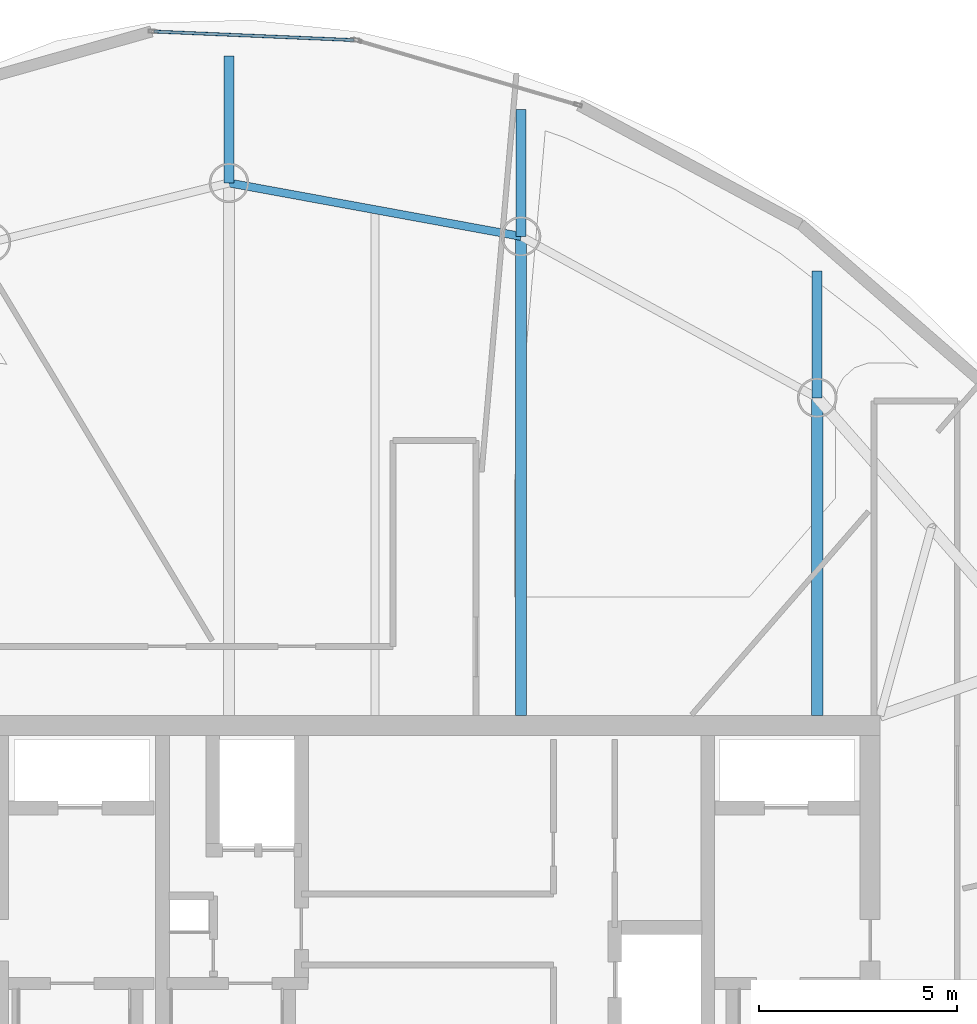
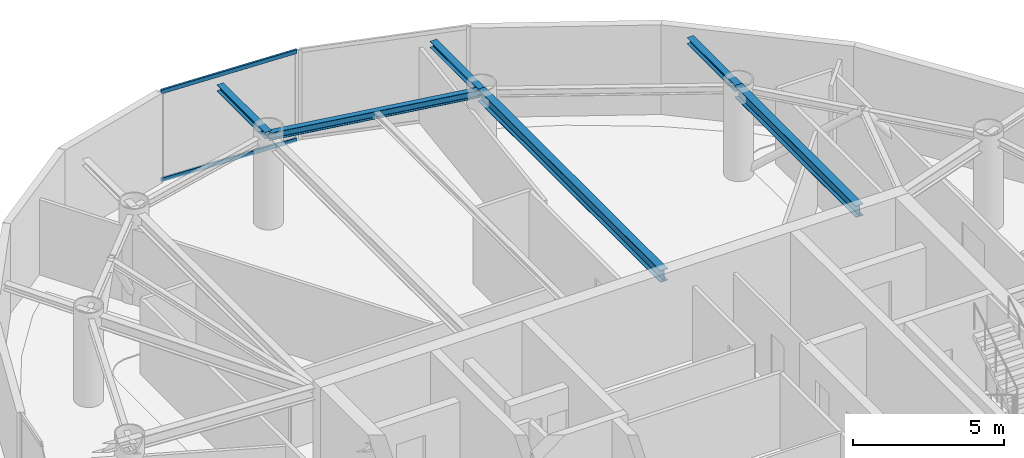
# One storey, part 10 of 18: 6 beams, 2 members, 1 element without a shape of its own.
"""IFC4 building model written with IfcOpenShell, lengths in metres."""

from ifc_helpers import new_model, si_unit, direction, frame, origin, origin_2d, place, context, subcontext, project, spatial, hollow_rectangle, i_section, extrude, material, layer, layer_set, material_profile, profile_set, type_object, element, aggregate, save


model = new_model("IFC4")

# Units and contexts
model_context = context("Model", 3, precision=1e-05, world=origin(), true_north=direction((0.0, 1.0)))
body_context = subcontext(model_context, "Body", "Model", "MODEL_VIEW")
ifc_project = project(units=[si_unit("LENGTHUNIT", "METRE"), si_unit("AREAUNIT", "SQUARE_METRE"), si_unit("VOLUMEUNIT", "CUBIC_METRE"), si_unit("PLANEANGLEUNIT", "RADIAN"), si_unit("MASSUNIT", "GRAM", prefix="KILO")], contexts=[model_context])

# Site, building, storey
site_placement = place(None, origin())
site = spatial("IfcSite", under=ifc_project, at=site_placement, CompositionType="ELEMENT")
building_placement = place(site_placement, origin())
building = spatial("IfcBuilding", under=site, at=building_placement, Name="Bramvorn Convention Spire", CompositionType="ELEMENT")
storey_placement = place(building_placement, frame((0.0, 0.0, 288.25)))
storey = spatial("IfcBuildingStorey", under=building, at=storey_placement, Name="L73", CompositionType="ELEMENT", Elevation=288.25)

# Beams
ifc_material_1 = material(Name="Steel CSA G40.21 Grade 350 (350W)", Category="steel")
ifc_material_profile_1 = material_profile(ifc_material_1, i_section(OverallWidth=0.25390625, OverallDepth=0.2529296875, WebThickness=0.008544921875, FlangeThickness=0.01416015625, FilletRadius=0.011962890625, at=origin_2d()))
ifc_profile_set_1 = profile_set([ifc_material_profile_1], Name="Steel CSA G40.21 Grade 350 (350W) - W250X73")
beam_type_1 = type_object("IfcBeamType", Name="BM-W250X73", PredefinedType="BEAM", material=ifc_profile_set_1)
for number, where, z_axis, x_axis, name in (
    (1, (47.662353515625, 41.476806640625, 3.49853515625), (0.0, 1.0, 0.0), (-1.0, 0.0, 0.0), "L73 slab-edge cantilever tip beam MC06"),
    (2, (40.1845703125, 45.55078125, 3.49853515625), (0.0, 1.0, 0.0), (-1.0, 0.0, 0.0), "L73 slab-edge cantilever tip beam MC07"),
    (3, (32.8115234375, 46.90087890625, 3.49853515625), (0.0, 1.0, 0.0), (-1.0, 0.0, 0.0), "L73 slab-edge cantilever tip beam MC08"),
):
    element("IfcBeam", number, at=place(storey_placement, frame(where, z_axis=z_axis, x_axis=x_axis)), inside=storey, type_object=beam_type_1, Name=name, PredefinedType="BEAM", context=body_context, shape_type="SweptSolid", body=[
        extrude(i_section(OverallWidth=0.25390625, OverallDepth=0.2529296875, WebThickness=0.008544921875, FlangeThickness=0.01416015625, FilletRadius=0.011962890625, at=origin_2d()), origin(), (0.0, 0.0, 1.0), 3.199951171875),
    ])
ifc_material_profile_2 = material_profile(ifc_material_1, i_section(OverallWidth=0.202880859375, OverallDepth=0.302978515625, WebThickness=0.007568359375, FlangeThickness=0.01318359375, FilletRadius=0.013916015625, at=origin_2d()))
ifc_profile_set_2 = profile_set([ifc_material_profile_2], Name="Steel CSA G40.21 Grade 350 (350W) - W310X60")
beam_type_2 = type_object("IfcBeamType", Name="BM-W310X60", PredefinedType="JOIST", material=ifc_profile_set_2)
beam_1_placement = place(storey_placement, frame((40.1845703125, 45.55078125, 3.473388671875), z_axis=(-0.983645049461, 0.180117785547, 0.0), x_axis=(-0.180117785547, -0.983645049461, 0.0)))
element("IfcBeam", 4, at=beam_1_placement, inside=storey, type_object=beam_type_2, Name="L73 mega-column ring beam 07", PredefinedType="JOIST", context=body_context, shape_type="SweptSolid", body=[
    extrude(i_section(OverallWidth=0.202880859375, OverallDepth=0.302978515625, WebThickness=0.007568359375, FlangeThickness=0.01318359375, FilletRadius=0.013916015625, at=origin_2d()), origin(), (0.0, 0.0, 1.0), 7.49560546875),
])
ifc_material_profile_3 = material_profile(ifc_material_1, i_section(OverallWidth=0.283935546875, OverallDepth=0.47607421875, WebThickness=0.014892578125, FlangeThickness=0.02392578125, FilletRadius=0.01806640625, at=origin_2d()))
ifc_profile_set_3 = profile_set([ifc_material_profile_3], Name="Steel CSA G40.21 Grade 350 (350W) - W460X158")
beam_type_3 = type_object("IfcBeamType", Name="BM-W460X158", PredefinedType="SPANDREL", material=ifc_profile_set_3)
beam_2_placement = place(storey_placement, frame((47.662353515625, 33.449951171875, 3.386962890625), z_axis=(0.0, 1.0, 0.0), x_axis=(-1.0, 0.0, 0.0)))
element("IfcBeam", 5, at=beam_2_placement, inside=storey, type_object=beam_type_3, Name="L73 radial floor girder MC06", PredefinedType="SPANDREL", context=body_context, shape_type="SweptSolid", body=[
    extrude(i_section(OverallWidth=0.283935546875, OverallDepth=0.47607421875, WebThickness=0.014892578125, FlangeThickness=0.02392578125, FilletRadius=0.01806640625, at=origin_2d()), origin(), (0.0, 0.0, 1.0), 8.02685546875),
])
beam_3_placement = place(storey_placement, frame((40.1845703125, 33.449951171875, 3.386962890625), z_axis=(0.0, 1.0, 0.0), x_axis=(-1.0, 0.0, 0.0)))
element("IfcBeam", 6, at=beam_3_placement, inside=storey, type_object=beam_type_3, Name="L73 radial floor girder MC07", PredefinedType="SPANDREL", context=body_context, shape_type="SweptSolid", body=[
    extrude(i_section(OverallWidth=0.283935546875, OverallDepth=0.47607421875, WebThickness=0.014892578125, FlangeThickness=0.02392578125, FilletRadius=0.01806640625, at=origin_2d()), origin(), (0.0, 0.0, 1.0), 12.100830078125),
])

# Curtain wall, members
ifc_material_2 = material(Name="Anodised Bronze Unitised Curtain Wall", Category="aluminium")
ifc_layer = layer(ifc_material_2, 0.179931640625)
ifc_layer_set = layer_set([ifc_layer], Name="Anodised Bronze Unitised Curtain Wall - CW-OFF-FRIT")
curtain_wall_type = type_object("IfcCurtainWallType", Name="CW-OFF-FRIT", PredefinedType="USERDEFINED", material=ifc_layer_set)
curtain_wall_placement = place(storey_placement, origin())
curtain_wall = element("IfcCurtainWall", 7, at=curtain_wall_placement, inside=storey, type_object=curtain_wall_type, Name="L73 fritted glass curtain wall 11", ObjectType="UNITISED CURTAIN WALL", PredefinedType="USERDEFINED")
ifc_material_3 = material(Name="Anodised Bronze Aluminium 6063-T6", Category="aluminium")
ifc_material_profile_4 = material_profile(ifc_material_3, hollow_rectangle(XDim=0.080078125, YDim=0.159912109375, WallThickness=0.00390625, InnerFilletRadius=0.0009765625, OuterFilletRadius=0.00390625, at=origin_2d()))
ifc_profile_set_4 = profile_set([ifc_material_profile_4], Name="Anodised Bronze Aluminium 6063-T6 - CWT80X160")
member_type = type_object("IfcMemberType", Name="CW-TRN-150", PredefinedType="USERDEFINED", material=ifc_profile_set_4)
member_1_placement = place(storey_placement, frame((30.91455078125, 50.723876953125, 0.030029296875), z_axis=(0.999081479751, -0.042850867176, 0.0), x_axis=(0.042850867176, 0.999081479751, 0.0)))
member_1 = element("IfcMember", 8, at=member_1_placement, type_object=member_type, Name="CW3 transom 1.1", ObjectType="TRANSOM", PredefinedType="USERDEFINED", context=body_context, shape_type="SweptSolid", body=[
    extrude(hollow_rectangle(XDim=0.080078125, YDim=0.159912109375, WallThickness=0.00390625, InnerFilletRadius=0.0009765625, OuterFilletRadius=0.00390625, at=origin_2d()), origin(), (0.0, 0.0, 1.0), 5.059326171875),
])
member_2_placement = place(storey_placement, frame((30.91455078125, 50.723876953125, 3.594970703125), z_axis=(0.999081479751, -0.042850867176, 0.0), x_axis=(0.042850867176, 0.999081479751, 0.0)))
member_2 = element("IfcMember", 9, at=member_2_placement, type_object=member_type, Name="CW3 transom 1.2", ObjectType="TRANSOM", PredefinedType="USERDEFINED", context=body_context, shape_type="SweptSolid", body=[
    extrude(hollow_rectangle(XDim=0.080078125, YDim=0.159912109375, WallThickness=0.00390625, InnerFilletRadius=0.0009765625, OuterFilletRadius=0.00390625, at=origin_2d()), origin(), (0.0, 0.0, 1.0), 5.059326171875),
])
aggregate(curtain_wall, [member_1, member_2])

save(model, "model.ifc")
